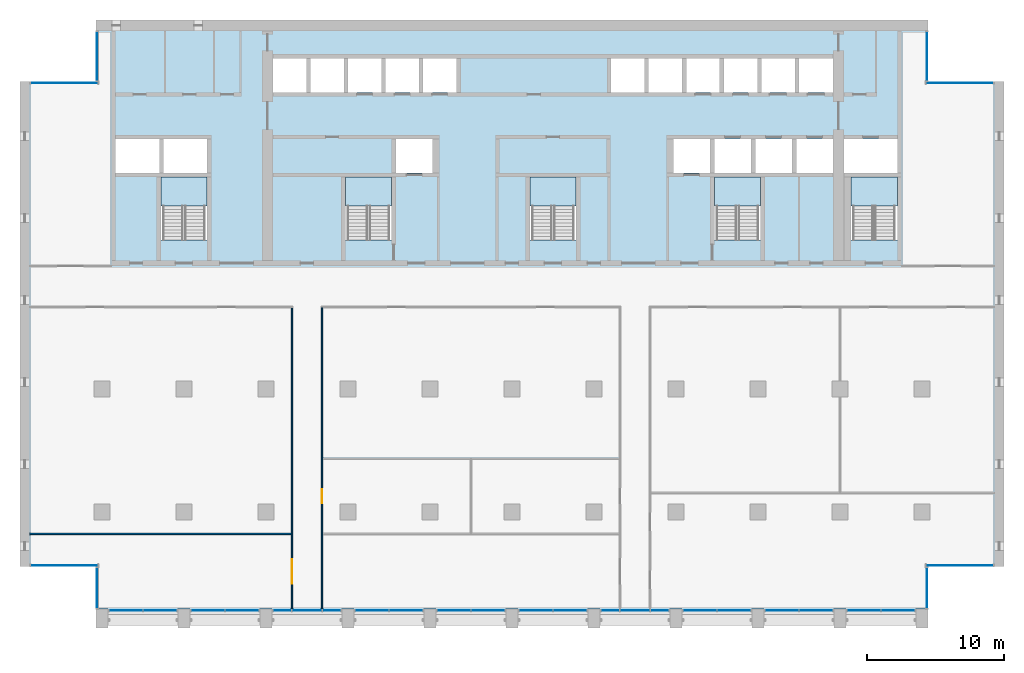
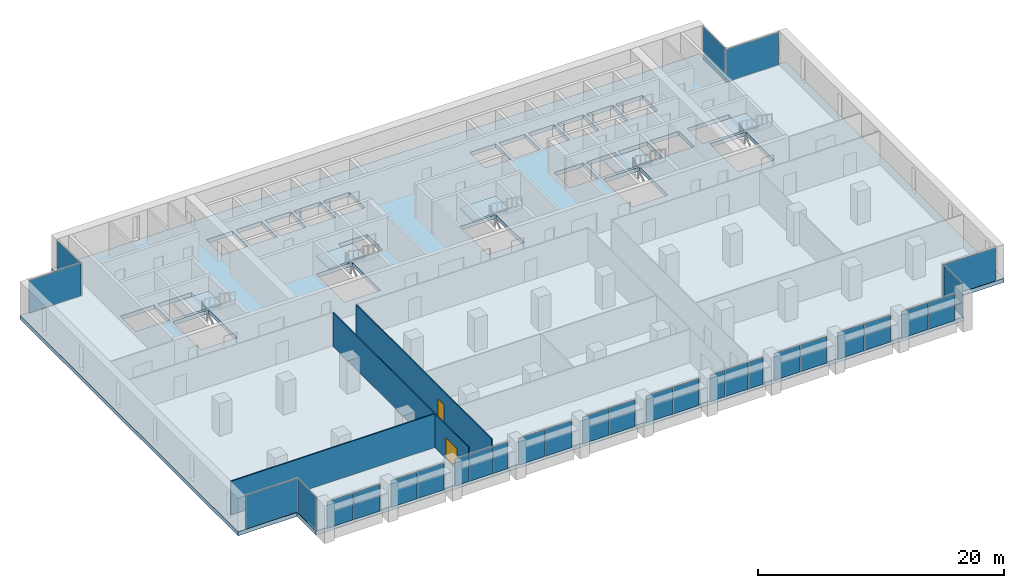
# One storey, part 7 of 15: 30 plates, 6 slabs, 3 walls, 2 doors, 2 openings, 23 elements without a shape of their own.
"""IFC4 building model written with IfcOpenShell, lengths in metres."""

from ifc_helpers import new_model, si_unit, direction, frame, frame_2d, origin, origin_2d, place, context, subcontext, project, spatial, polyline, rectangle, outline, extrude, material, layer, layer_set, type_object, element, fill, aggregate, save


model = new_model("IFC4")

# Units and contexts
model_context = context("Model", 3, precision=1e-05, world=origin(), true_north=direction((0.0, 1.0)))
body_context = subcontext(model_context, "Body", "Model", "MODEL_VIEW")
ifc_project = project(units=[si_unit("LENGTHUNIT", "METRE"), si_unit("AREAUNIT", "SQUARE_METRE"), si_unit("VOLUMEUNIT", "CUBIC_METRE"), si_unit("PLANEANGLEUNIT", "RADIAN"), si_unit("MASSUNIT", "GRAM", prefix="KILO")], contexts=[model_context])

# Site, building, storey
site_placement = place(None, origin())
site = spatial("IfcSite", under=ifc_project, at=site_placement, CompositionType="ELEMENT")
building_placement = place(site_placement, origin())
building = spatial("IfcBuilding", under=site, at=building_placement, Name="Calvaro Tower", CompositionType="ELEMENT")
storey_placement = place(building_placement, frame((0.0, 0.0, 147.5)))
storey = spatial("IfcBuildingStorey", under=building, at=storey_placement, Name="L37", CompositionType="ELEMENT", Elevation=147.5)

# Slab
ifc_material_1 = material(Name="Concrete C40/50", Category="concrete")
ifc_layer_1 = layer(ifc_material_1, 0.39990234375)
ifc_layer_set_1 = layer_set([ifc_layer_1], Name="Concrete C40/50")
slab_type_1 = type_object("IfcSlabType", Name="Floor slab 400 C40/50", PredefinedType="FLOOR", material=ifc_layer_set_1)
slab_1_placement = place(storey_placement, frame((0.0, 0.0, -0.39990234375)))
element("IfcSlab", 1, at=slab_1_placement, inside=storey, type_object=slab_type_1, Name="Floor slab", PredefinedType="FLOOR", context=body_context, shape_type="SweptSolid", body=[
    extrude(outline(polyline([(66.449951171875, 6.0), (66.449951171875, 2.89990234375), (5.550048828125, 2.89990234375), (5.550048828125, 6.0), (0.0, 6.0), (0.0, 41.5), (5.550048828125, 41.5), (5.550048828125, 46.0), (66.449951171875, 46.0), (66.449951171875, 41.5), (72.0, 41.5), (72.0, 6.0), (66.449951171875, 6.0)]), holes=[polyline([(10.300048828125, 29.909912109375), (10.300048828125, 34.5), (12.0, 34.5), (13.699951171875, 34.5), (13.699951171875, 29.909912109375), (12.0, 29.909912109375), (10.300048828125, 29.909912109375)]), polyline([(23.800048828125, 29.909912109375), (23.800048828125, 34.5), (25.5, 34.5), (27.199951171875, 34.5), (27.199951171875, 29.909912109375), (25.5, 29.909912109375), (23.800048828125, 29.909912109375)]), polyline([(37.300048828125, 29.909912109375), (37.300048828125, 34.5), (39.0, 34.5), (40.699951171875, 34.5), (40.699951171875, 29.909912109375), (39.0, 29.909912109375), (37.300048828125, 29.909912109375)]), polyline([(50.800048828125, 29.909912109375), (50.800048828125, 34.5), (52.5, 34.5), (54.199951171875, 34.5), (54.199951171875, 29.909912109375), (52.5, 29.909912109375), (50.800048828125, 29.909912109375)]), polyline([(60.800048828125, 29.909912109375), (60.800048828125, 34.5), (62.5, 34.5), (64.199951171875, 34.5), (64.199951171875, 29.909912109375), (62.5, 29.909912109375), (60.800048828125, 29.909912109375)]), polyline([(50.800048828125, 34.800048828125), (53.5, 34.800048828125), (53.5, 37.300048828125), (50.800048828125, 37.300048828125), (50.800048828125, 34.800048828125)]), polyline([(53.800048828125, 34.800048828125), (56.5, 34.800048828125), (56.5, 37.300048828125), (53.800048828125, 37.300048828125), (53.800048828125, 34.800048828125)]), polyline([(56.800048828125, 34.800048828125), (59.5, 34.800048828125), (59.5, 37.300048828125), (56.800048828125, 37.300048828125), (56.800048828125, 34.800048828125)]), polyline([(18.5, 40.699951171875), (20.949951171875, 40.699951171875), (20.949951171875, 43.199951171875), (18.5, 43.199951171875), (18.5, 40.699951171875)]), polyline([(21.25, 40.699951171875), (23.699951171875, 40.699951171875), (23.699951171875, 43.199951171875), (21.25, 43.199951171875), (21.25, 40.699951171875)]), polyline([(24.0, 40.699951171875), (26.449951171875, 40.699951171875), (26.449951171875, 43.199951171875), (24.0, 43.199951171875), (24.0, 40.699951171875)]), polyline([(26.75, 40.699951171875), (29.199951171875, 40.699951171875), (29.199951171875, 43.199951171875), (26.75, 43.199951171875), (26.75, 40.699951171875)]), polyline([(29.5, 40.699951171875), (31.949951171875, 40.699951171875), (31.949951171875, 43.199951171875), (29.5, 43.199951171875), (29.5, 40.699951171875)]), polyline([(43.25, 40.699951171875), (45.699951171875, 40.699951171875), (45.699951171875, 43.199951171875), (43.25, 43.199951171875), (43.25, 40.699951171875)]), polyline([(46.0, 40.699951171875), (48.449951171875, 40.699951171875), (48.449951171875, 43.199951171875), (46.0, 43.199951171875), (46.0, 40.699951171875)]), polyline([(48.75, 40.699951171875), (51.199951171875, 40.699951171875), (51.199951171875, 43.199951171875), (48.75, 43.199951171875), (48.75, 40.699951171875)]), polyline([(51.5, 40.699951171875), (53.949951171875, 40.699951171875), (53.949951171875, 43.199951171875), (51.5, 43.199951171875), (51.5, 40.699951171875)]), polyline([(54.25, 40.699951171875), (56.699951171875, 40.699951171875), (56.699951171875, 43.199951171875), (54.25, 43.199951171875), (54.25, 40.699951171875)]), polyline([(57.0, 40.699951171875), (59.5, 40.699951171875), (59.5, 43.199951171875), (57.0, 43.199951171875), (57.0, 40.699951171875)]), polyline([(7.0, 34.800048828125), (10.199951171875, 34.800048828125), (10.199951171875, 37.300048828125), (7.0, 37.300048828125), (7.0, 34.800048828125)]), polyline([(10.5, 34.800048828125), (13.699951171875, 34.800048828125), (13.699951171875, 37.300048828125), (10.5, 37.300048828125), (10.5, 34.800048828125)]), polyline([(60.300048828125, 34.800048828125), (64.199951171875, 34.800048828125), (64.199951171875, 37.300048828125), (60.300048828125, 37.300048828125), (60.300048828125, 34.800048828125)]), polyline([(27.5, 34.800048828125), (30.199951171875, 34.800048828125), (30.199951171875, 37.300048828125), (27.5, 37.300048828125), (27.5, 34.800048828125)]), polyline([(47.800048828125, 34.800048828125), (50.5, 34.800048828125), (50.5, 37.300048828125), (47.800048828125, 37.300048828125), (47.800048828125, 34.800048828125)])]), origin(), (0.0, 0.0, 1.0), 0.39990234375),
])

# Curtain wall, plates
ifc_material_2 = material(Name="Anodised aluminium", Category="aluminium")
curtain_wall_type = type_object("IfcCurtainWallType", Name="Office curtain wall, middle zone", PredefinedType="NOTDEFINED", material=ifc_material_2)
curtain_wall_1_placement = place(storey_placement, origin())
curtain_wall_1 = element("IfcCurtainWall", 2, at=curtain_wall_1_placement, inside=storey, type_object=curtain_wall_type, Name="CW2 south curtain wall", PredefinedType="NOTDEFINED")
ifc_material_3 = material(Name="Glass", Category="glass")
ifc_layer_2 = layer(ifc_material_3, 0.031982421875)
ifc_layer_set_2 = layer_set([ifc_layer_2], Name="Glass")
plate_type = type_object("IfcPlateType", Name="Glass panel S2 32", PredefinedType="CURTAIN_PANEL", material=ifc_layer_set_2)
plate_1_placement = place(storey_placement, frame((7.742431640625, 2.800048828125, 0.0), z_axis=(0.0, 0.0, 1.0), x_axis=(1.0, 0.0, 0.0)))
plate_1 = element("IfcPlate", 3, at=plate_1_placement, type_object=plate_type, Name="CW2 glass panel 1.1", PredefinedType="CURTAIN_PANEL", context=body_context, shape_type="SweptSolid", body=[
    extrude(rectangle(XDim=2.445068359375, YDim=0.031982421875, at=origin_2d()), origin(), (0.0, 0.0, 1.0), 2.64990234375),
])
plate_2_placement = place(storey_placement, frame((10.257568359375, 2.800048828125, 0.0), z_axis=(0.0, 0.0, 1.0), x_axis=(1.0, 0.0, 0.0)))
plate_2 = element("IfcPlate", 4, at=plate_2_placement, type_object=plate_type, Name="CW2 glass panel 2.1", PredefinedType="CURTAIN_PANEL", context=body_context, shape_type="SweptSolid", body=[
    extrude(rectangle(XDim=2.445068359375, YDim=0.031982421875, at=origin_2d()), origin(), (0.0, 0.0, 1.0), 2.64990234375),
])
aggregate(curtain_wall_1, [plate_1, plate_2])

curtain_wall_2_placement = place(storey_placement, origin())
curtain_wall_2 = element("IfcCurtainWall", 5, at=curtain_wall_2_placement, inside=storey, type_object=curtain_wall_type, Name="CW2 south curtain wall", PredefinedType="NOTDEFINED")
plate_3_placement = place(storey_placement, frame((13.742431640625, 2.800048828125, 0.0), z_axis=(0.0, 0.0, 1.0), x_axis=(1.0, 0.0, 0.0)))
plate_3 = element("IfcPlate", 6, at=plate_3_placement, type_object=plate_type, Name="CW2 glass panel 1.1", PredefinedType="CURTAIN_PANEL", context=body_context, shape_type="SweptSolid", body=[
    extrude(rectangle(XDim=2.445068359375, YDim=0.031982421875, at=origin_2d()), origin(), (0.0, 0.0, 1.0), 2.64990234375),
])
plate_4_placement = place(storey_placement, frame((16.257568359375, 2.800048828125, 0.0), z_axis=(0.0, 0.0, 1.0), x_axis=(1.0, 0.0, 0.0)))
plate_4 = element("IfcPlate", 7, at=plate_4_placement, type_object=plate_type, Name="CW2 glass panel 2.1", PredefinedType="CURTAIN_PANEL", context=body_context, shape_type="SweptSolid", body=[
    extrude(rectangle(XDim=2.445068359375, YDim=0.031982421875, at=origin_2d()), origin(), (0.0, 0.0, 1.0), 2.64990234375),
])
aggregate(curtain_wall_2, [plate_3, plate_4])

curtain_wall_3_placement = place(storey_placement, origin())
curtain_wall_3 = element("IfcCurtainWall", 8, at=curtain_wall_3_placement, inside=storey, type_object=curtain_wall_type, Name="CW2 south curtain wall", PredefinedType="NOTDEFINED")
plate_5_placement = place(storey_placement, frame((19.1923828125, 2.800048828125, 0.0), z_axis=(0.0, 0.0, 1.0), x_axis=(1.0, 0.0, 0.0)))
plate_5 = element("IfcPlate", 9, at=plate_5_placement, type_object=plate_type, Name="CW2 glass panel 1.1", PredefinedType="CURTAIN_PANEL", context=body_context, shape_type="SweptSolid", body=[
    extrude(rectangle(XDim=1.344970703125, YDim=0.031982421875, at=origin_2d()), origin(), (0.0, 0.0, 1.0), 2.64990234375),
])
plate_6_placement = place(storey_placement, frame((21.0, 2.800048828125, 0.0), z_axis=(0.0, 0.0, 1.0), x_axis=(1.0, 0.0, 0.0)))
plate_6 = element("IfcPlate", 10, at=plate_6_placement, type_object=plate_type, Name="CW2 glass panel 2.1", PredefinedType="CURTAIN_PANEL", context=body_context, shape_type="SweptSolid", body=[
    extrude(rectangle(XDim=2.1298828125, YDim=0.031982421875, at=origin_2d()), origin(), (0.0, 0.0, 1.0), 2.64990234375),
])
plate_7_placement = place(storey_placement, frame((22.8076171875, 2.800048828125, 0.0), z_axis=(0.0, 0.0, 1.0), x_axis=(1.0, 0.0, 0.0)))
plate_7 = element("IfcPlate", 11, at=plate_7_placement, type_object=plate_type, Name="CW2 glass panel 3.1", PredefinedType="CURTAIN_PANEL", context=body_context, shape_type="SweptSolid", body=[
    extrude(rectangle(XDim=1.344970703125, YDim=0.031982421875, at=origin_2d()), origin(), (0.0, 0.0, 1.0), 2.64990234375),
])
aggregate(curtain_wall_3, [plate_5, plate_6, plate_7])

curtain_wall_4_placement = place(storey_placement, origin())
curtain_wall_4 = element("IfcCurtainWall", 12, at=curtain_wall_4_placement, inside=storey, type_object=curtain_wall_type, Name="CW2 south curtain wall", PredefinedType="NOTDEFINED")
plate_8_placement = place(storey_placement, frame((25.742431640625, 2.800048828125, 0.0), z_axis=(0.0, 0.0, 1.0), x_axis=(1.0, 0.0, 0.0)))
plate_8 = element("IfcPlate", 13, at=plate_8_placement, type_object=plate_type, Name="CW2 glass panel 1.1", PredefinedType="CURTAIN_PANEL", context=body_context, shape_type="SweptSolid", body=[
    extrude(rectangle(XDim=2.445068359375, YDim=0.031982421875, at=origin_2d()), origin(), (0.0, 0.0, 1.0), 2.64990234375),
])
plate_9_placement = place(storey_placement, frame((28.257568359375, 2.800048828125, 0.0), z_axis=(0.0, 0.0, 1.0), x_axis=(1.0, 0.0, 0.0)))
plate_9 = element("IfcPlate", 14, at=plate_9_placement, type_object=plate_type, Name="CW2 glass panel 2.1", PredefinedType="CURTAIN_PANEL", context=body_context, shape_type="SweptSolid", body=[
    extrude(rectangle(XDim=2.445068359375, YDim=0.031982421875, at=origin_2d()), origin(), (0.0, 0.0, 1.0), 2.64990234375),
])
aggregate(curtain_wall_4, [plate_8, plate_9])

curtain_wall_5_placement = place(storey_placement, origin())
curtain_wall_5 = element("IfcCurtainWall", 15, at=curtain_wall_5_placement, inside=storey, type_object=curtain_wall_type, Name="CW2 south curtain wall", PredefinedType="NOTDEFINED")
plate_10_placement = place(storey_placement, frame((31.742431640625, 2.800048828125, 0.0), z_axis=(0.0, 0.0, 1.0), x_axis=(1.0, 0.0, 0.0)))
plate_10 = element("IfcPlate", 16, at=plate_10_placement, type_object=plate_type, Name="CW2 glass panel 1.1", PredefinedType="CURTAIN_PANEL", context=body_context, shape_type="SweptSolid", body=[
    extrude(rectangle(XDim=2.445068359375, YDim=0.031982421875, at=origin_2d()), origin(), (0.0, 0.0, 1.0), 2.64990234375),
])
plate_11_placement = place(storey_placement, frame((34.257568359375, 2.800048828125, 0.0), z_axis=(0.0, 0.0, 1.0), x_axis=(1.0, 0.0, 0.0)))
plate_11 = element("IfcPlate", 17, at=plate_11_placement, type_object=plate_type, Name="CW2 glass panel 2.1", PredefinedType="CURTAIN_PANEL", context=body_context, shape_type="SweptSolid", body=[
    extrude(rectangle(XDim=2.445068359375, YDim=0.031982421875, at=origin_2d()), origin(), (0.0, 0.0, 1.0), 2.64990234375),
])
aggregate(curtain_wall_5, [plate_10, plate_11])

curtain_wall_6_placement = place(storey_placement, origin())
curtain_wall_6 = element("IfcCurtainWall", 18, at=curtain_wall_6_placement, inside=storey, type_object=curtain_wall_type, Name="CW2 south curtain wall", PredefinedType="NOTDEFINED")
plate_12_placement = place(storey_placement, frame((37.742431640625, 2.800048828125, 0.0), z_axis=(0.0, 0.0, 1.0), x_axis=(1.0, 0.0, 0.0)))
plate_12 = element("IfcPlate", 19, at=plate_12_placement, type_object=plate_type, Name="CW2 glass panel 1.1", PredefinedType="CURTAIN_PANEL", context=body_context, shape_type="SweptSolid", body=[
    extrude(rectangle(XDim=2.445068359375, YDim=0.031982421875, at=origin_2d()), origin(), (0.0, 0.0, 1.0), 2.64990234375),
])
plate_13_placement = place(storey_placement, frame((40.257568359375, 2.800048828125, 0.0), z_axis=(0.0, 0.0, 1.0), x_axis=(1.0, 0.0, 0.0)))
plate_13 = element("IfcPlate", 20, at=plate_13_placement, type_object=plate_type, Name="CW2 glass panel 2.1", PredefinedType="CURTAIN_PANEL", context=body_context, shape_type="SweptSolid", body=[
    extrude(rectangle(XDim=2.445068359375, YDim=0.031982421875, at=origin_2d()), origin(), (0.0, 0.0, 1.0), 2.64990234375),
])
aggregate(curtain_wall_6, [plate_12, plate_13])

curtain_wall_7_placement = place(storey_placement, origin())
curtain_wall_7 = element("IfcCurtainWall", 21, at=curtain_wall_7_placement, inside=storey, type_object=curtain_wall_type, Name="CW2 south curtain wall", PredefinedType="NOTDEFINED")
plate_14_placement = place(storey_placement, frame((43.1923828125, 2.800048828125, 0.0), z_axis=(0.0, 0.0, 1.0), x_axis=(1.0, 0.0, 0.0)))
plate_14 = element("IfcPlate", 22, at=plate_14_placement, type_object=plate_type, Name="CW2 glass panel 1.1", PredefinedType="CURTAIN_PANEL", context=body_context, shape_type="SweptSolid", body=[
    extrude(rectangle(XDim=1.344970703125, YDim=0.031982421875, at=origin_2d()), origin(), (0.0, 0.0, 1.0), 2.64990234375),
])
plate_15_placement = place(storey_placement, frame((45.0, 2.800048828125, 0.0), z_axis=(0.0, 0.0, 1.0), x_axis=(1.0, 0.0, 0.0)))
plate_15 = element("IfcPlate", 23, at=plate_15_placement, type_object=plate_type, Name="CW2 glass panel 2.1", PredefinedType="CURTAIN_PANEL", context=body_context, shape_type="SweptSolid", body=[
    extrude(rectangle(XDim=2.1298828125, YDim=0.031982421875, at=origin_2d()), origin(), (0.0, 0.0, 1.0), 2.64990234375),
])
plate_16_placement = place(storey_placement, frame((46.8076171875, 2.800048828125, 0.0), z_axis=(0.0, 0.0, 1.0), x_axis=(1.0, 0.0, 0.0)))
plate_16 = element("IfcPlate", 24, at=plate_16_placement, type_object=plate_type, Name="CW2 glass panel 3.1", PredefinedType="CURTAIN_PANEL", context=body_context, shape_type="SweptSolid", body=[
    extrude(rectangle(XDim=1.344970703125, YDim=0.031982421875, at=origin_2d()), origin(), (0.0, 0.0, 1.0), 2.64990234375),
])
aggregate(curtain_wall_7, [plate_14, plate_15, plate_16])

curtain_wall_8_placement = place(storey_placement, origin())
curtain_wall_8 = element("IfcCurtainWall", 25, at=curtain_wall_8_placement, inside=storey, type_object=curtain_wall_type, Name="CW2 south curtain wall", PredefinedType="NOTDEFINED")
plate_17_placement = place(storey_placement, frame((49.742431640625, 2.800048828125, 0.0), z_axis=(0.0, 0.0, 1.0), x_axis=(1.0, 0.0, 0.0)))
plate_17 = element("IfcPlate", 26, at=plate_17_placement, type_object=plate_type, Name="CW2 glass panel 1.1", PredefinedType="CURTAIN_PANEL", context=body_context, shape_type="SweptSolid", body=[
    extrude(rectangle(XDim=2.445068359375, YDim=0.031982421875, at=origin_2d()), origin(), (0.0, 0.0, 1.0), 2.64990234375),
])
plate_18_placement = place(storey_placement, frame((52.257568359375, 2.800048828125, 0.0), z_axis=(0.0, 0.0, 1.0), x_axis=(1.0, 0.0, 0.0)))
plate_18 = element("IfcPlate", 27, at=plate_18_placement, type_object=plate_type, Name="CW2 glass panel 2.1", PredefinedType="CURTAIN_PANEL", context=body_context, shape_type="SweptSolid", body=[
    extrude(rectangle(XDim=2.445068359375, YDim=0.031982421875, at=origin_2d()), origin(), (0.0, 0.0, 1.0), 2.64990234375),
])
aggregate(curtain_wall_8, [plate_17, plate_18])

curtain_wall_9_placement = place(storey_placement, origin())
curtain_wall_9 = element("IfcCurtainWall", 28, at=curtain_wall_9_placement, inside=storey, type_object=curtain_wall_type, Name="CW2 south curtain wall", PredefinedType="NOTDEFINED")
plate_19_placement = place(storey_placement, frame((55.742431640625, 2.800048828125, 0.0), z_axis=(0.0, 0.0, 1.0), x_axis=(1.0, 0.0, 0.0)))
plate_19 = element("IfcPlate", 29, at=plate_19_placement, type_object=plate_type, Name="CW2 glass panel 1.1", PredefinedType="CURTAIN_PANEL", context=body_context, shape_type="SweptSolid", body=[
    extrude(rectangle(XDim=2.445068359375, YDim=0.031982421875, at=origin_2d()), origin(), (0.0, 0.0, 1.0), 2.64990234375),
])
plate_20_placement = place(storey_placement, frame((58.257568359375, 2.800048828125, 0.0), z_axis=(0.0, 0.0, 1.0), x_axis=(1.0, 0.0, 0.0)))
plate_20 = element("IfcPlate", 30, at=plate_20_placement, type_object=plate_type, Name="CW2 glass panel 2.1", PredefinedType="CURTAIN_PANEL", context=body_context, shape_type="SweptSolid", body=[
    extrude(rectangle(XDim=2.445068359375, YDim=0.031982421875, at=origin_2d()), origin(), (0.0, 0.0, 1.0), 2.64990234375),
])
aggregate(curtain_wall_9, [plate_19, plate_20])

curtain_wall_10_placement = place(storey_placement, origin())
curtain_wall_10 = element("IfcCurtainWall", 31, at=curtain_wall_10_placement, inside=storey, type_object=curtain_wall_type, Name="CW2 south curtain wall", PredefinedType="NOTDEFINED")
plate_21_placement = place(storey_placement, frame((61.742431640625, 2.800048828125, 0.0), z_axis=(0.0, 0.0, 1.0), x_axis=(1.0, 0.0, 0.0)))
plate_21 = element("IfcPlate", 32, at=plate_21_placement, type_object=plate_type, Name="CW2 glass panel 1.1", PredefinedType="CURTAIN_PANEL", context=body_context, shape_type="SweptSolid", body=[
    extrude(rectangle(XDim=2.445068359375, YDim=0.031982421875, at=origin_2d()), origin(), (0.0, 0.0, 1.0), 2.64990234375),
])
plate_22_placement = place(storey_placement, frame((64.257568359375, 2.800048828125, 0.0), z_axis=(0.0, 0.0, 1.0), x_axis=(1.0, 0.0, 0.0)))
plate_22 = element("IfcPlate", 33, at=plate_22_placement, type_object=plate_type, Name="CW2 glass panel 2.1", PredefinedType="CURTAIN_PANEL", context=body_context, shape_type="SweptSolid", body=[
    extrude(rectangle(XDim=2.445068359375, YDim=0.031982421875, at=origin_2d()), origin(), (0.0, 0.0, 1.0), 2.64990234375),
])
aggregate(curtain_wall_10, [plate_21, plate_22])

# Curtain wall, plate
curtain_wall_11_placement = place(storey_placement, origin())
curtain_wall_11 = element("IfcCurtainWall", 34, at=curtain_wall_11_placement, inside=storey, type_object=curtain_wall_type, Name="CW2 corner curtain wall", PredefinedType="NOTDEFINED")
plate_23_placement = place(storey_placement, frame((5.64990234375, 4.449951171875, 0.0), z_axis=(0.0, 0.0, 1.0), x_axis=(0.0, 1.0, 0.0)))
plate_23 = element("IfcPlate", 35, at=plate_23_placement, type_object=plate_type, Name="CW2 glass panel 1.1", PredefinedType="CURTAIN_PANEL", context=body_context, shape_type="SweptSolid", body=[
    extrude(rectangle(XDim=2.9599609375, YDim=0.031982421875, at=origin_2d()), origin(), (0.0, 0.0, 1.0), 3.25),
])
aggregate(curtain_wall_11, [plate_23])

curtain_wall_12_placement = place(storey_placement, origin())
curtain_wall_12 = element("IfcCurtainWall", 36, at=curtain_wall_12_placement, inside=storey, type_object=curtain_wall_type, Name="CW2 corner curtain wall", PredefinedType="NOTDEFINED")
plate_24_placement = place(storey_placement, frame((3.22509765625, 6.10009765625, 0.0), z_axis=(0.0, 0.0, 1.0), x_axis=(1.0, 0.0, 0.0)))
plate_24 = element("IfcPlate", 37, at=plate_24_placement, type_object=plate_type, Name="CW2 glass panel 1.1", PredefinedType="CURTAIN_PANEL", context=body_context, shape_type="SweptSolid", body=[
    extrude(rectangle(XDim=4.909912109375, YDim=0.031982421875, at=origin_2d()), origin(), (0.0, 0.0, 1.0), 3.25),
])
aggregate(curtain_wall_12, [plate_24])

curtain_wall_13_placement = place(storey_placement, origin())
curtain_wall_13 = element("IfcCurtainWall", 38, at=curtain_wall_13_placement, inside=storey, type_object=curtain_wall_type, Name="CW2 corner curtain wall", PredefinedType="NOTDEFINED")
plate_25_placement = place(storey_placement, frame((5.64990234375, 43.35009765625, 0.0), z_axis=(0.0, 0.0, 1.0), x_axis=(0.0, 1.0, 0.0)))
plate_25 = element("IfcPlate", 39, at=plate_25_placement, type_object=plate_type, Name="CW2 glass panel 1.1", PredefinedType="CURTAIN_PANEL", context=body_context, shape_type="SweptSolid", body=[
    extrude(rectangle(XDim=3.56005859375, YDim=0.031982421875, at=origin_2d()), origin(), (0.0, 0.0, 1.0), 3.25),
])
aggregate(curtain_wall_13, [plate_25])

curtain_wall_14_placement = place(storey_placement, origin())
curtain_wall_14 = element("IfcCurtainWall", 40, at=curtain_wall_14_placement, inside=storey, type_object=curtain_wall_type, Name="CW2 corner curtain wall", PredefinedType="NOTDEFINED")
plate_26_placement = place(storey_placement, frame((3.22509765625, 41.39990234375, 0.0), z_axis=(0.0, 0.0, 1.0), x_axis=(1.0, 0.0, 0.0)))
plate_26 = element("IfcPlate", 41, at=plate_26_placement, type_object=plate_type, Name="CW2 glass panel 1.1", PredefinedType="CURTAIN_PANEL", context=body_context, shape_type="SweptSolid", body=[
    extrude(rectangle(XDim=4.909912109375, YDim=0.031982421875, at=origin_2d()), origin(), (0.0, 0.0, 1.0), 3.25),
])
aggregate(curtain_wall_14, [plate_26])

curtain_wall_15_placement = place(storey_placement, origin())
curtain_wall_15 = element("IfcCurtainWall", 42, at=curtain_wall_15_placement, inside=storey, type_object=curtain_wall_type, Name="CW2 corner curtain wall", PredefinedType="NOTDEFINED")
plate_27_placement = place(storey_placement, frame((66.35009765625, 4.449951171875, 0.0), z_axis=(0.0, 0.0, 1.0), x_axis=(0.0, 1.0, 0.0)))
plate_27 = element("IfcPlate", 43, at=plate_27_placement, type_object=plate_type, Name="CW2 glass panel 1.1", PredefinedType="CURTAIN_PANEL", context=body_context, shape_type="SweptSolid", body=[
    extrude(rectangle(XDim=2.9599609375, YDim=0.031982421875, at=origin_2d()), origin(), (0.0, 0.0, 1.0), 3.25),
])
aggregate(curtain_wall_15, [plate_27])

curtain_wall_16_placement = place(storey_placement, origin())
curtain_wall_16 = element("IfcCurtainWall", 44, at=curtain_wall_16_placement, inside=storey, type_object=curtain_wall_type, Name="CW2 corner curtain wall", PredefinedType="NOTDEFINED")
plate_28_placement = place(storey_placement, frame((68.77490234375, 6.10009765625, 0.0), z_axis=(0.0, 0.0, 1.0), x_axis=(1.0, 0.0, 0.0)))
plate_28 = element("IfcPlate", 45, at=plate_28_placement, type_object=plate_type, Name="CW2 glass panel 1.1", PredefinedType="CURTAIN_PANEL", context=body_context, shape_type="SweptSolid", body=[
    extrude(rectangle(XDim=4.909912109375, YDim=0.031982421875, at=origin_2d()), origin(), (0.0, 0.0, 1.0), 3.25),
])
aggregate(curtain_wall_16, [plate_28])

curtain_wall_17_placement = place(storey_placement, origin())
curtain_wall_17 = element("IfcCurtainWall", 46, at=curtain_wall_17_placement, inside=storey, type_object=curtain_wall_type, Name="CW2 corner curtain wall", PredefinedType="NOTDEFINED")
plate_29_placement = place(storey_placement, frame((66.35009765625, 43.35009765625, 0.0), z_axis=(0.0, 0.0, 1.0), x_axis=(0.0, 1.0, 0.0)))
plate_29 = element("IfcPlate", 47, at=plate_29_placement, type_object=plate_type, Name="CW2 glass panel 1.1", PredefinedType="CURTAIN_PANEL", context=body_context, shape_type="SweptSolid", body=[
    extrude(rectangle(XDim=3.56005859375, YDim=0.031982421875, at=origin_2d()), origin(), (0.0, 0.0, 1.0), 3.25),
])
aggregate(curtain_wall_17, [plate_29])

curtain_wall_18_placement = place(storey_placement, origin())
curtain_wall_18 = element("IfcCurtainWall", 48, at=curtain_wall_18_placement, inside=storey, type_object=curtain_wall_type, Name="CW2 corner curtain wall", PredefinedType="NOTDEFINED")
plate_30_placement = place(storey_placement, frame((68.77490234375, 41.39990234375, 0.0), z_axis=(0.0, 0.0, 1.0), x_axis=(1.0, 0.0, 0.0)))
plate_30 = element("IfcPlate", 49, at=plate_30_placement, type_object=plate_type, Name="CW2 glass panel 1.1", PredefinedType="CURTAIN_PANEL", context=body_context, shape_type="SweptSolid", body=[
    extrude(rectangle(XDim=4.909912109375, YDim=0.031982421875, at=origin_2d()), origin(), (0.0, 0.0, 1.0), 3.25),
])
aggregate(curtain_wall_18, [plate_30])

# Stair, slab
ifc_material_4 = material(Name="Concrete C40/50", Category="concrete")
stair_type = type_object("IfcStairType", Name="Exit stair 1400 2 flights", PredefinedType="HALF_TURN_STAIR", material=ifc_material_4)
stair_1_placement = place(storey_placement, origin())
stair_1 = element("IfcStair", 50, at=stair_1_placement, inside=storey, type_object=stair_type, Name="Exit stair S1", PredefinedType="HALF_TURN_STAIR")
ifc_material_5 = material(Name="Concrete C40/50", Category="concrete")
ifc_layer_3 = layer(ifc_material_5, 0.199951171875)
ifc_layer_set_3 = layer_set([ifc_layer_3], Name="Concrete C40/50")
slab_type_2 = type_object("IfcSlabType", Name="Stair landing", PredefinedType="LANDING", material=ifc_layer_set_3)
slab_2_placement = place(storey_placement, frame((0.0, 0.0, 1.675048828125)))
slab_2 = element("IfcSlab", 51, at=slab_2_placement, type_object=slab_type_2, Name="Exit stair 1, landing 1", PredefinedType="LANDING", context=body_context, shape_type="SweptSolid", body=[
    extrude(outline(polyline([(11.89990234375, 32.389892578125), (10.5, 32.389892578125), (10.5, 32.39990234375), (10.300048828125, 32.39990234375), (10.300048828125, 34.5), (10.5, 34.5), (11.89990234375, 34.5), (12.10009765625, 34.5), (13.5, 34.5), (13.699951171875, 34.5), (13.699951171875, 32.39990234375), (13.5, 32.39990234375), (13.5, 32.389892578125), (12.10009765625, 32.389892578125), (12.10009765625, 32.39990234375), (11.89990234375, 32.39990234375), (11.89990234375, 32.389892578125)])), origin(), (0.0, 0.0, 1.0), 0.199951171875),
])
aggregate(stair_1, [slab_2])

stair_2_placement = place(storey_placement, origin())
stair_2 = element("IfcStair", 52, at=stair_2_placement, inside=storey, type_object=stair_type, Name="Exit stair S2", PredefinedType="HALF_TURN_STAIR")
slab_3_placement = place(storey_placement, frame((0.0, 0.0, 1.675048828125)))
slab_3 = element("IfcSlab", 53, at=slab_3_placement, type_object=slab_type_2, Name="Exit stair 2, landing 1", PredefinedType="LANDING", context=body_context, shape_type="SweptSolid", body=[
    extrude(outline(polyline([(25.39990234375, 32.389892578125), (24.0, 32.389892578125), (24.0, 32.39990234375), (23.800048828125, 32.39990234375), (23.800048828125, 34.5), (24.0, 34.5), (25.39990234375, 34.5), (25.60009765625, 34.5), (27.0, 34.5), (27.199951171875, 34.5), (27.199951171875, 32.39990234375), (27.0, 32.39990234375), (27.0, 32.389892578125), (25.60009765625, 32.389892578125), (25.60009765625, 32.39990234375), (25.39990234375, 32.39990234375), (25.39990234375, 32.389892578125)])), origin(), (0.0, 0.0, 1.0), 0.199951171875),
])
aggregate(stair_2, [slab_3])

stair_3_placement = place(storey_placement, origin())
stair_3 = element("IfcStair", 54, at=stair_3_placement, inside=storey, type_object=stair_type, Name="Exit stair S3", PredefinedType="HALF_TURN_STAIR")
slab_4_placement = place(storey_placement, frame((0.0, 0.0, 1.675048828125)))
slab_4 = element("IfcSlab", 55, at=slab_4_placement, type_object=slab_type_2, Name="Exit stair 3, landing 1", PredefinedType="LANDING", context=body_context, shape_type="SweptSolid", body=[
    extrude(outline(polyline([(38.89990234375, 32.389892578125), (37.5, 32.389892578125), (37.5, 32.39990234375), (37.300048828125, 32.39990234375), (37.300048828125, 34.5), (37.5, 34.5), (38.89990234375, 34.5), (39.10009765625, 34.5), (40.5, 34.5), (40.699951171875, 34.5), (40.699951171875, 32.39990234375), (40.5, 32.39990234375), (40.5, 32.389892578125), (39.10009765625, 32.389892578125), (39.10009765625, 32.39990234375), (38.89990234375, 32.39990234375), (38.89990234375, 32.389892578125)])), origin(), (0.0, 0.0, 1.0), 0.199951171875),
])
aggregate(stair_3, [slab_4])

stair_4_placement = place(storey_placement, origin())
stair_4 = element("IfcStair", 56, at=stair_4_placement, inside=storey, type_object=stair_type, Name="Exit stair S4", PredefinedType="HALF_TURN_STAIR")
slab_5_placement = place(storey_placement, frame((0.0, 0.0, 1.675048828125)))
slab_5 = element("IfcSlab", 57, at=slab_5_placement, type_object=slab_type_2, Name="Exit stair 4, landing 1", PredefinedType="LANDING", context=body_context, shape_type="SweptSolid", body=[
    extrude(outline(polyline([(52.39990234375, 32.389892578125), (51.0, 32.389892578125), (51.0, 32.39990234375), (50.800048828125, 32.39990234375), (50.800048828125, 34.5), (51.0, 34.5), (52.39990234375, 34.5), (52.60009765625, 34.5), (54.0, 34.5), (54.199951171875, 34.5), (54.199951171875, 32.39990234375), (54.0, 32.39990234375), (54.0, 32.389892578125), (52.60009765625, 32.389892578125), (52.60009765625, 32.39990234375), (52.39990234375, 32.39990234375), (52.39990234375, 32.389892578125)])), origin(), (0.0, 0.0, 1.0), 0.199951171875),
])
aggregate(stair_4, [slab_5])

stair_5_placement = place(storey_placement, origin())
stair_5 = element("IfcStair", 58, at=stair_5_placement, inside=storey, type_object=stair_type, Name="Exit stair S5", PredefinedType="HALF_TURN_STAIR")
slab_6_placement = place(storey_placement, frame((0.0, 0.0, 1.675048828125)))
slab_6 = element("IfcSlab", 59, at=slab_6_placement, type_object=slab_type_2, Name="Exit stair 5, landing 1", PredefinedType="LANDING", context=body_context, shape_type="SweptSolid", body=[
    extrude(outline(polyline([(62.39990234375, 32.389892578125), (61.0, 32.389892578125), (61.0, 32.39990234375), (60.800048828125, 32.39990234375), (60.800048828125, 34.5), (61.0, 34.5), (62.39990234375, 34.5), (62.60009765625, 34.5), (64.0, 34.5), (64.199951171875, 34.5), (64.199951171875, 32.39990234375), (64.0, 32.39990234375), (64.0, 32.389892578125), (62.60009765625, 32.389892578125), (62.60009765625, 32.39990234375), (62.39990234375, 32.39990234375), (62.39990234375, 32.389892578125)])), origin(), (0.0, 0.0, 1.0), 0.199951171875),
])
aggregate(stair_5, [slab_6])

# Wall
ifc_material_6 = material(Name="Plasterboard on steel studs", Category="steel")
ifc_layer_4 = layer(ifc_material_6, 0.10009765625)
ifc_layer_set_4 = layer_set([ifc_layer_4], Name="Plasterboard on steel studs")
wall_type = type_object("IfcWallType", Name="Partition 100", PredefinedType="PARTITIONING", material=ifc_layer_set_4)
wall_1_placement = place(storey_placement, frame((0.699951171875, 8.39990234375, 0.0), z_axis=(0.0, 0.0, 1.0), x_axis=(1.0, 0.0, 0.0)))
element("IfcWall", 60, at=wall_1_placement, inside=storey, type_object=wall_type, Name="Partition T22.W001", PredefinedType="PARTITIONING", context=body_context, shape_type="SweptSolid", body=[
    extrude(rectangle(XDim=19.150146484375, YDim=0.10009765625, at=frame_2d((9.5751953125, 0.0))), origin(), (0.0, 0.0, 1.0), 3.35009765625),
])

# Wall, opening, door
wall_2_placement = place(storey_placement, frame((19.89990234375, 2.89990234375, 0.0), z_axis=(0.0, 0.0, 1.0), x_axis=(0.0, 1.0, 0.0)))
wall_2 = element("IfcWall", 61, at=wall_2_placement, inside=storey, type_object=wall_type, Name="Partition T22.W010", PredefinedType="PARTITIONING", context=body_context, shape_type="SweptSolid", body=[
    extrude(rectangle(XDim=22.050048828125, YDim=0.10009765625, at=frame_2d((11.02490234375, 0.0))), origin(), (0.0, 0.0, 1.0), 3.35009765625),
])
opening_1_placement = place(wall_2_placement, frame((1.85009765625, 0.0, 0.0)))
opening_1 = element("IfcOpeningElement", 62, at=opening_1_placement, cuts=wall_2, Name="Opening T22.002", PredefinedType="OPENING", context=body_context, shape_type="SweptSolid", body=[
    extrude(rectangle(XDim=1.800048828125, YDim=2.10009765625, at=frame_2d((0.89990234375, 1.050048828125))), frame((0.0, 0.06005859375, 0.0), z_axis=(0.0, -1.0, 0.0), x_axis=(1.0, 0.0, 0.0)), (0.0, 0.0, 1.0), 0.1201171875),
])
ifc_material_7 = material(Name="Timber", Category="wood")
door_type_1 = type_object("IfcDoorType", Name="Internal double door 1800 x 2100", OperationType="DOUBLE_DOOR_SINGLE_SWING", PredefinedType="DOOR", material=ifc_material_7)
door_1_placement = place(opening_1_placement, origin())
door_1 = element("IfcDoor", 63, at=door_1_placement, inside=storey, type_object=door_type_1, Name="Door T22.002", OperationType="DOUBLE_DOOR_SINGLE_SWING", OverallHeight=2.10009765625, OverallWidth=1.800048828125, PredefinedType="DOOR", context=body_context, shape_type="SweptSolid", body=[
    extrude(rectangle(XDim=1.800048828125, YDim=2.10009765625, at=frame_2d((0.89990234375, 1.050048828125))), frame((0.0, 0.02490234375, 0.0), z_axis=(0.0, -1.0, 0.0), x_axis=(1.0, 0.0, 0.0)), (0.0, 0.0, 1.0), 0.050048828125),
])
fill(opening_1, door_1)

wall_3_placement = place(storey_placement, frame((22.10009765625, 2.89990234375, 0.0), z_axis=(0.0, 0.0, 1.0), x_axis=(0.0, 1.0, 0.0)))
wall_3 = element("IfcWall", 64, at=wall_3_placement, inside=storey, type_object=wall_type, Name="Partition T22.W011", PredefinedType="PARTITIONING", context=body_context, shape_type="SweptSolid", body=[
    extrude(rectangle(XDim=22.050048828125, YDim=0.10009765625, at=frame_2d((11.02490234375, 0.0))), origin(), (0.0, 0.0, 1.0), 3.35009765625),
])
opening_2_placement = place(wall_3_placement, frame((7.75, 0.0, 0.0)))
opening_2 = element("IfcOpeningElement", 65, at=opening_2_placement, cuts=wall_3, Name="Opening T22.005", PredefinedType="OPENING", context=body_context, shape_type="SweptSolid", body=[
    extrude(rectangle(XDim=1.0, YDim=2.10009765625, at=frame_2d((0.5, 1.050048828125))), frame((0.0, 0.06005859375, 0.0), z_axis=(0.0, -1.0, 0.0), x_axis=(1.0, 0.0, 0.0)), (0.0, 0.0, 1.0), 0.1201171875),
])
ifc_material_8 = material(Name="Timber", Category="wood")
door_type_2 = type_object("IfcDoorType", Name="Internal single door 1000 x 2100", OperationType="SINGLE_SWING_LEFT", PredefinedType="DOOR", material=ifc_material_8)
door_2_placement = place(opening_2_placement, origin())
door_2 = element("IfcDoor", 66, at=door_2_placement, inside=storey, type_object=door_type_2, Name="Door T22.005", OperationType="SINGLE_SWING_LEFT", OverallHeight=2.10009765625, OverallWidth=1.0, PredefinedType="DOOR", context=body_context, shape_type="SweptSolid", body=[
    extrude(rectangle(XDim=1.0, YDim=2.10009765625, at=frame_2d((0.5, 1.050048828125))), frame((0.0, 0.02490234375, 0.0), z_axis=(0.0, -1.0, 0.0), x_axis=(1.0, 0.0, 0.0)), (0.0, 0.0, 1.0), 0.050048828125),
])
fill(opening_2, door_2)

save(model, "model.ifc")
